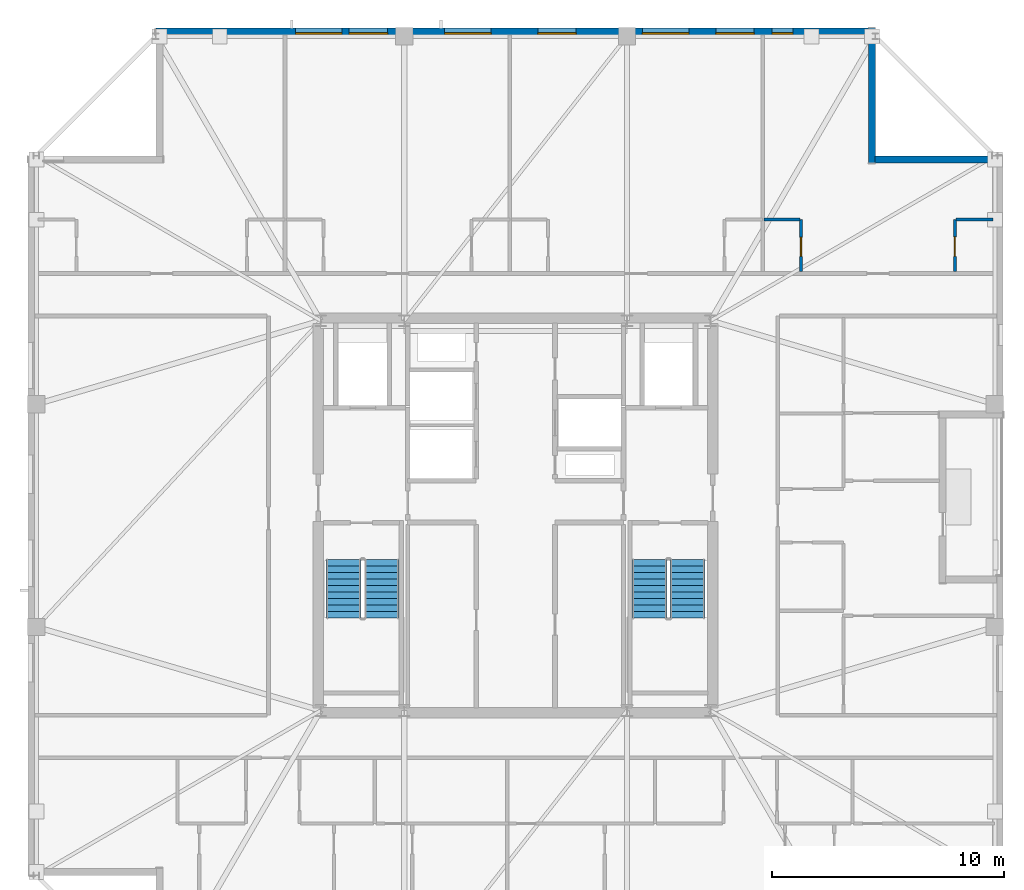
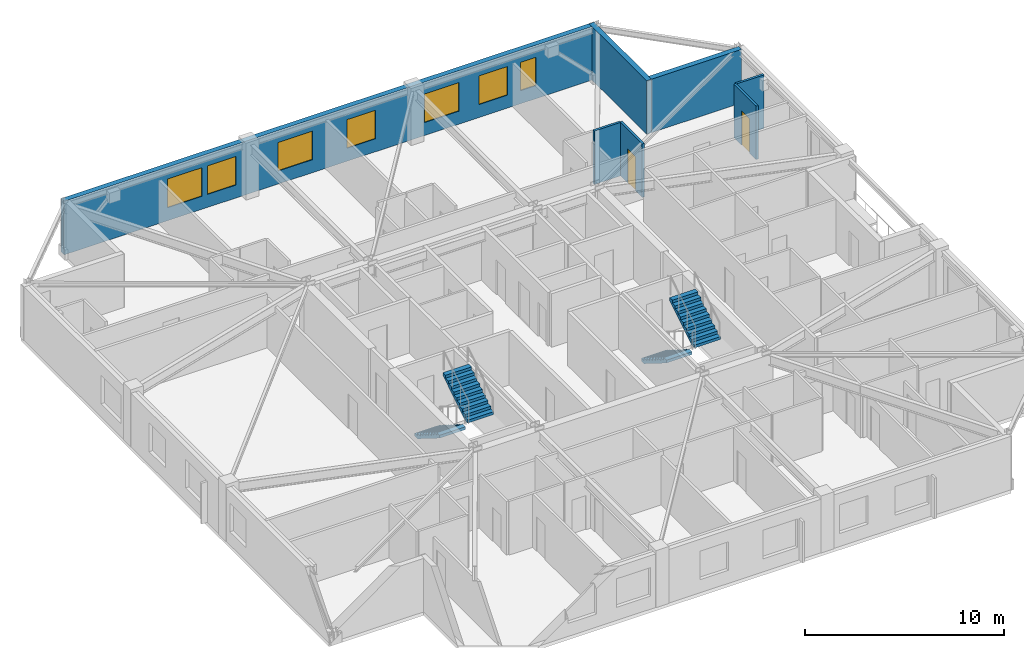
# One storey, part 11 of 14: 7 walls, 7 windows, 4 stair flights, 2 doors, 9 openings, 2 elements without a shape of their own.
"""IFC4 building model written with IfcOpenShell, lengths in metres."""

from ifc_helpers import new_model, si_unit, direction, frame, frame_2d, origin, place, context, subcontext, project, spatial, polyline, rectangle, outline, extrude, material, layer, layer_set, type_object, element, fill, aggregate, save


model = new_model("IFC4")

# Units and contexts
model_context = context("Model", 3, precision=1e-05, world=origin(), true_north=direction((0.0, 1.0)))
body_context = subcontext(model_context, "Body", "Model", "MODEL_VIEW")
ifc_project = project(units=[si_unit("LENGTHUNIT", "METRE"), si_unit("AREAUNIT", "SQUARE_METRE"), si_unit("VOLUMEUNIT", "CUBIC_METRE"), si_unit("PLANEANGLEUNIT", "RADIAN"), si_unit("MASSUNIT", "GRAM", prefix="KILO")], contexts=[model_context])

# Site, building, storey
site_placement = place(None, origin())
site = spatial("IfcSite", under=ifc_project, at=site_placement, CompositionType="ELEMENT")
building_placement = place(site_placement, origin())
building = spatial("IfcBuilding", under=site, at=building_placement, Name="Cairnveth Concourse Tower", CompositionType="ELEMENT")
storey_placement = place(building_placement, frame((0.0, 0.0, 308.5)))
storey = spatial("IfcBuildingStorey", under=building, at=storey_placement, Name="L85", CompositionType="ELEMENT", Elevation=308.5)

# Wall, opening, door
ifc_material_1 = material(Name="Gypsum Plasterboard Partition", Category="gypsum")
ifc_layer_1 = layer(ifc_material_1, 0.1298828125)
ifc_layer_set_1 = layer_set([ifc_layer_1], Name="Gypsum Plasterboard Partition")
wall_type_1 = type_object("IfcWallType", Name="WET AREA PARTITION 140", PredefinedType="PLUMBINGWALL", material=ifc_layer_set_1)
wall_1_placement = place(storey_placement, frame((64.297607421875, 49.514892578125, 0.0), z_axis=(0.0, 0.0, 1.0), x_axis=(0.0, 1.0, 0.0)))
wall_1 = element("IfcWall", 1, at=wall_1_placement, inside=storey, type_object=wall_type_1, Name="Interior Wall IW-L85-078", PredefinedType="PLUMBINGWALL", context=body_context, shape_type="SweptSolid", body=[
    extrude(rectangle(XDim=2.25, YDim=0.1298828125, at=frame_2d((1.125, 0.0))), origin(), (0.0, 0.0, 1.0), 3.2900390625),
])
opening_1_placement = place(wall_1_placement, frame((0.64990234375, 0.0, 0.0)))
opening_1 = element("IfcOpeningElement", 2, at=opening_1_placement, cuts=wall_1, Name="Opening ID22", PredefinedType="OPENING", context=body_context, shape_type="SweptSolid", body=[
    extrude(rectangle(XDim=0.820068359375, YDim=2.10009765625, at=frame_2d((0.41015625, 1.050048828125))), frame((0.0, 0.074951171875, 0.0), z_axis=(0.0, -1.0, 0.0), x_axis=(1.0, 0.0, 0.0)), (0.0, 0.0, 1.0), 0.14990234375),
])
ifc_material_2 = material(Name="Solid Core Hardwood Timber Leaf", Category="wood")
door_type_1 = type_object("IfcDoorType", Name="INTERIOR WC DOOR 820X2100", OperationType="NOTDEFINED", PredefinedType="DOOR", material=ifc_material_2)
door_1_placement = place(opening_1_placement, origin())
door_1 = element("IfcDoor", 3, at=door_1_placement, inside=storey, type_object=door_type_1, Name="L85STN4 Bathroom Door", OperationType="SINGLE_SWING_LEFT", OverallHeight=2.10009765625, OverallWidth=0.820068359375, PredefinedType="DOOR", context=body_context, shape_type="SweptSolid", body=[
    extrude(rectangle(XDim=0.820068359375, YDim=2.10009765625, at=frame_2d((0.41015625, 1.050048828125))), frame((0.0, 0.02490234375, 0.0), z_axis=(0.0, -1.0, 0.0), x_axis=(1.0, 0.0, 0.0)), (0.0, 0.0, 1.0), 0.050048828125),
])
fill(opening_1, door_1)

# Wall
wall_2_placement = place(storey_placement, frame((62.71240234375, 51.764892578125, 0.0), z_axis=(0.0, 0.0, 1.0), x_axis=(1.0, 0.0, 0.0)))
element("IfcWall", 4, at=wall_2_placement, inside=storey, type_object=wall_type_1, Name="Interior Wall IW-L85-079", PredefinedType="PLUMBINGWALL", context=body_context, shape_type="SweptSolid", body=[
    extrude(rectangle(XDim=1.53515625, YDim=0.1298828125, at=frame_2d((0.767578125, 0.0))), origin(), (0.0, 0.0, 1.0), 3.2900390625),
])

# Wall, opening, door
wall_3_placement = place(storey_placement, frame((70.929931640625, 49.514892578125, 0.0), z_axis=(0.0, 0.0, 1.0), x_axis=(0.0, 1.0, 0.0)))
wall_3 = element("IfcWall", 5, at=wall_3_placement, inside=storey, type_object=wall_type_1, Name="Interior Wall IW-L85-080", PredefinedType="PLUMBINGWALL", context=body_context, shape_type="SweptSolid", body=[
    extrude(rectangle(XDim=2.25, YDim=0.1298828125, at=frame_2d((1.125, 0.0))), origin(), (0.0, 0.0, 1.0), 3.2900390625),
])
opening_2_placement = place(wall_3_placement, frame((0.64990234375, 0.0, 0.0)))
opening_2 = element("IfcOpeningElement", 6, at=opening_2_placement, cuts=wall_3, Name="Opening ID20", PredefinedType="OPENING", context=body_context, shape_type="SweptSolid", body=[
    extrude(rectangle(XDim=0.85009765625, YDim=2.10009765625, at=frame_2d((0.425048828125, 1.050048828125))), frame((0.0, 0.074951171875, 0.0), z_axis=(0.0, -1.0, 0.0), x_axis=(1.0, 0.0, 0.0)), (0.0, 0.0, 1.0), 0.14990234375),
])
door_type_2 = type_object("IfcDoorType", Name="INTERIOR SINGLE DOOR 850X2100", OperationType="NOTDEFINED", PredefinedType="DOOR", material=ifc_material_2)
door_2_placement = place(opening_2_placement, origin())
door_2 = element("IfcDoor", 7, at=door_2_placement, inside=storey, type_object=door_type_2, Name="L85STN4 Kitchen Door", OperationType="SINGLE_SWING_RIGHT", OverallHeight=2.10009765625, OverallWidth=0.85009765625, PredefinedType="DOOR", context=body_context, shape_type="SweptSolid", body=[
    extrude(rectangle(XDim=0.85009765625, YDim=2.10009765625, at=frame_2d((0.425048828125, 1.050048828125))), frame((0.0, 0.02490234375, 0.0), z_axis=(0.0, -1.0, 0.0), x_axis=(1.0, 0.0, 0.0)), (0.0, 0.0, 1.0), 0.050048828125),
])
fill(opening_2, door_2)

# Wall
wall_4_placement = place(storey_placement, frame((70.97998046875, 51.764892578125, 0.0), z_axis=(0.0, 0.0, 1.0), x_axis=(1.0, 0.0, 0.0)))
element("IfcWall", 8, at=wall_4_placement, inside=storey, type_object=wall_type_1, Name="Interior Wall IW-L85-081", PredefinedType="PLUMBINGWALL", context=body_context, shape_type="SweptSolid", body=[
    extrude(rectangle(XDim=1.60009765625, YDim=0.1298828125, at=frame_2d((0.800048828125, 0.0))), origin(), (0.0, 0.0, 1.0), 3.2900390625),
])

# Wall, openings, windows
ifc_material_3 = material(Name="Hawthorn Red-Ochre Fired Clay Brick Masonry", Category="masonry")
ifc_layer_2 = layer(ifc_material_3, 0.300048828125)
ifc_layer_set_2 = layer_set([ifc_layer_2], Name="Hawthorn Red-Ochre Fired Clay Brick Masonry")
wall_type_2 = type_object("IfcWallType", Name="ZONE 4 BRICK PIER SPANDREL WALL 300", PredefinedType="SOLIDWALL", material=ifc_layer_set_2)
wall_5_placement = place(storey_placement, frame((36.5, 59.85009765625, 0.0), z_axis=(0.0, 0.0, 1.0), x_axis=(1.0, 0.0, 0.0)))
wall_5 = element("IfcWall", 9, at=wall_5_placement, inside=storey, type_object=wall_type_2, Name="Exterior Wall EW-L85-S09", PredefinedType="SOLIDWALL", context=body_context, shape_type="SweptSolid", body=[
    extrude(rectangle(XDim=30.721923828125, YDim=0.300048828125, at=frame_2d((15.36083984375, 0.0))), origin(), (0.0, 0.0, 1.0), 3.2900390625),
])
opening_3_placement = place(wall_5_placement, frame((6.0185546875, 0.0, 0.800048828125)))
opening_3 = element("IfcOpeningElement", 10, at=opening_3_placement, cuts=wall_5, Name="Opening W09", PredefinedType="OPENING", context=body_context, shape_type="SweptSolid", body=[
    extrude(rectangle(XDim=2.0, YDim=1.758056640625, at=frame_2d((1.0, 0.87890625))), frame((0.0, 0.159912109375, 0.0), z_axis=(0.0, -1.0, 0.0), x_axis=(1.0, 0.0, 0.0)), (0.0, 0.0, 1.0), 0.320068359375),
])
opening_4_placement = place(wall_5_placement, frame((8.33056640625, 0.0, 0.800048828125)))
opening_4 = element("IfcOpeningElement", 11, at=opening_4_placement, cuts=wall_5, Name="Opening W04", PredefinedType="OPENING", context=body_context, shape_type="SweptSolid", body=[
    extrude(rectangle(XDim=1.64990234375, YDim=1.758056640625, at=frame_2d((0.824951171875, 0.87890625))), frame((0.0, 0.159912109375, 0.0), z_axis=(0.0, -1.0, 0.0), x_axis=(1.0, 0.0, 0.0)), (0.0, 0.0, 1.0), 0.320068359375),
])
opening_5_placement = place(wall_5_placement, frame((12.4423828125, 0.0, 0.800048828125)))
opening_5 = element("IfcOpeningElement", 12, at=opening_5_placement, cuts=wall_5, Name="Opening W09", PredefinedType="OPENING", context=body_context, shape_type="SweptSolid", body=[
    extrude(rectangle(XDim=2.0, YDim=1.758056640625, at=frame_2d((1.0, 0.87890625))), frame((0.0, 0.159912109375, 0.0), z_axis=(0.0, -1.0, 0.0), x_axis=(1.0, 0.0, 0.0)), (0.0, 0.0, 1.0), 0.320068359375),
])
opening_6_placement = place(wall_5_placement, frame((16.45458984375, 0.0, 0.800048828125)))
opening_6 = element("IfcOpeningElement", 13, at=opening_6_placement, cuts=wall_5, Name="Opening W04", PredefinedType="OPENING", context=body_context, shape_type="SweptSolid", body=[
    extrude(rectangle(XDim=1.64990234375, YDim=1.758056640625, at=frame_2d((0.824951171875, 0.87890625))), frame((0.0, 0.159912109375, 0.0), z_axis=(0.0, -1.0, 0.0), x_axis=(1.0, 0.0, 0.0)), (0.0, 0.0, 1.0), 0.320068359375),
])
opening_7_placement = place(wall_5_placement, frame((20.966552734375, 0.0, 0.800048828125)))
opening_7 = element("IfcOpeningElement", 14, at=opening_7_placement, cuts=wall_5, Name="Opening W09", PredefinedType="OPENING", context=body_context, shape_type="SweptSolid", body=[
    extrude(rectangle(XDim=2.0, YDim=1.758056640625, at=frame_2d((1.0, 0.87890625))), frame((0.0, 0.159912109375, 0.0), z_axis=(0.0, -1.0, 0.0), x_axis=(1.0, 0.0, 0.0)), (0.0, 0.0, 1.0), 0.320068359375),
])
opening_8_placement = place(wall_5_placement, frame((24.12841796875, 0.0, 0.800048828125)))
opening_8 = element("IfcOpeningElement", 15, at=opening_8_placement, cuts=wall_5, Name="Opening W04", PredefinedType="OPENING", context=body_context, shape_type="SweptSolid", body=[
    extrude(rectangle(XDim=1.64990234375, YDim=1.758056640625, at=frame_2d((0.824951171875, 0.87890625))), frame((0.0, 0.159912109375, 0.0), z_axis=(0.0, -1.0, 0.0), x_axis=(1.0, 0.0, 0.0)), (0.0, 0.0, 1.0), 0.320068359375),
])
opening_9_placement = place(wall_5_placement, frame((26.550048828125, 0.0, 0.800048828125)))
opening_9 = element("IfcOpeningElement", 16, at=opening_9_placement, cuts=wall_5, Name="Opening W13", PredefinedType="OPENING", context=body_context, shape_type="SweptSolid", body=[
    extrude(rectangle(XDim=0.89990234375, YDim=1.75, at=frame_2d((0.449951171875, 0.875))), frame((0.0, 0.159912109375, 0.0), z_axis=(0.0, -1.0, 0.0), x_axis=(1.0, 0.0, 0.0)), (0.0, 0.0, 1.0), 0.320068359375),
])
ifc_material_4 = material(Name="Double Glazed Low-E Clear Glass", Category="glass")
window_type_1 = type_object("IfcWindowType", Name="DEEP-SET BEDROOM LANCET WINDOW 900X1750", PartitioningType="DOUBLE_PANEL_VERTICAL", PredefinedType="WINDOW", material=ifc_material_4)
window_1_placement = place(opening_9_placement, origin())
window_1 = element("IfcWindow", 17, at=window_1_placement, inside=storey, type_object=window_type_1, Name="Dwelling Lancet Window L85-DW4", OverallHeight=1.75, OverallWidth=0.89990234375, PartitioningType="SINGLE_PANEL", PredefinedType="WINDOW", context=body_context, shape_type="SweptSolid", body=[
    extrude(rectangle(XDim=0.89990234375, YDim=1.75, at=frame_2d((0.449951171875, 0.875))), frame((0.0, -0.0400390625, 0.0), z_axis=(0.0, -1.0, 0.0), x_axis=(1.0, 0.0, 0.0)), (0.0, 0.0, 1.0), 0.06005859375),
])
fill(opening_9, window_1)
window_type_2 = type_object("IfcWindowType", Name="DEEP-SET GOTHIC LANCET WINDOW 1650X1850", PartitioningType="DOUBLE_PANEL_VERTICAL", PredefinedType="WINDOW", material=ifc_material_4)
window_2_placement = place(opening_4_placement, origin())
window_2 = element("IfcWindow", 18, at=window_2_placement, inside=storey, type_object=window_type_2, Name="Gothic Lancet Window L85-9-2", OverallHeight=1.758056640625, OverallWidth=1.64990234375, PartitioningType="SINGLE_PANEL", PredefinedType="WINDOW", context=body_context, shape_type="SweptSolid", body=[
    extrude(rectangle(XDim=1.64990234375, YDim=1.758056640625, at=frame_2d((0.824951171875, 0.87890625))), frame((0.0, -0.050048828125, 0.0), z_axis=(0.0, -1.0, 0.0), x_axis=(1.0, 0.0, 0.0)), (0.0, 0.0, 1.0), 0.06005859375),
])
fill(opening_4, window_2)
window_3_placement = place(opening_6_placement, origin())
window_3 = element("IfcWindow", 19, at=window_3_placement, inside=storey, type_object=window_type_2, Name="Gothic Lancet Window L85-9-4", OverallHeight=1.758056640625, OverallWidth=1.64990234375, PartitioningType="SINGLE_PANEL", PredefinedType="WINDOW", context=body_context, shape_type="SweptSolid", body=[
    extrude(rectangle(XDim=1.64990234375, YDim=1.758056640625, at=frame_2d((0.824951171875, 0.87890625))), frame((0.0, -0.050048828125, 0.0), z_axis=(0.0, -1.0, 0.0), x_axis=(1.0, 0.0, 0.0)), (0.0, 0.0, 1.0), 0.06005859375),
])
fill(opening_6, window_3)
window_4_placement = place(opening_8_placement, origin())
window_4 = element("IfcWindow", 20, at=window_4_placement, inside=storey, type_object=window_type_2, Name="Gothic Lancet Window L85-9-6", OverallHeight=1.758056640625, OverallWidth=1.64990234375, PartitioningType="SINGLE_PANEL", PredefinedType="WINDOW", context=body_context, shape_type="SweptSolid", body=[
    extrude(rectangle(XDim=1.64990234375, YDim=1.758056640625, at=frame_2d((0.824951171875, 0.87890625))), frame((0.0, -0.050048828125, 0.0), z_axis=(0.0, -1.0, 0.0), x_axis=(1.0, 0.0, 0.0)), (0.0, 0.0, 1.0), 0.06005859375),
])
fill(opening_8, window_4)
window_type_3 = type_object("IfcWindowType", Name="DEEP-SET PENTHOUSE LANCET WINDOW 2000X1850", PartitioningType="DOUBLE_PANEL_VERTICAL", PredefinedType="WINDOW", material=ifc_material_4)
window_5_placement = place(opening_3_placement, origin())
window_5 = element("IfcWindow", 21, at=window_5_placement, inside=storey, type_object=window_type_3, Name="Gothic Lancet Window L85-9-1", OverallHeight=1.758056640625, OverallWidth=2.0, PartitioningType="SINGLE_PANEL", PredefinedType="WINDOW", context=body_context, shape_type="SweptSolid", body=[
    extrude(rectangle(XDim=2.0, YDim=1.758056640625, at=frame_2d((1.0, 0.87890625))), frame((0.0, -0.050048828125, 0.0), z_axis=(0.0, -1.0, 0.0), x_axis=(1.0, 0.0, 0.0)), (0.0, 0.0, 1.0), 0.06005859375),
])
fill(opening_3, window_5)
window_6_placement = place(opening_5_placement, origin())
window_6 = element("IfcWindow", 22, at=window_6_placement, inside=storey, type_object=window_type_3, Name="Gothic Lancet Window L85-9-3", OverallHeight=1.758056640625, OverallWidth=2.0, PartitioningType="SINGLE_PANEL", PredefinedType="WINDOW", context=body_context, shape_type="SweptSolid", body=[
    extrude(rectangle(XDim=2.0, YDim=1.758056640625, at=frame_2d((1.0, 0.87890625))), frame((0.0, -0.050048828125, 0.0), z_axis=(0.0, -1.0, 0.0), x_axis=(1.0, 0.0, 0.0)), (0.0, 0.0, 1.0), 0.06005859375),
])
fill(opening_5, window_6)
window_7_placement = place(opening_7_placement, origin())
window_7 = element("IfcWindow", 23, at=window_7_placement, inside=storey, type_object=window_type_3, Name="Gothic Lancet Window L85-9-5", OverallHeight=1.758056640625, OverallWidth=2.0, PartitioningType="SINGLE_PANEL", PredefinedType="WINDOW", context=body_context, shape_type="SweptSolid", body=[
    extrude(rectangle(XDim=2.0, YDim=1.758056640625, at=frame_2d((1.0, 0.87890625))), frame((0.0, -0.050048828125, 0.0), z_axis=(0.0, -1.0, 0.0), x_axis=(1.0, 0.0, 0.0)), (0.0, 0.0, 1.0), 0.06005859375),
])
fill(opening_7, window_7)

# Walls
wall_6_placement = place(storey_placement, frame((67.35009765625, 60.0, 0.0), z_axis=(0.0, 0.0, 1.0), x_axis=(0.0, -1.0, 0.0)))
element("IfcWall", 24, at=wall_6_placement, inside=storey, type_object=wall_type_2, Name="Exterior Wall EW-L85-S10", PredefinedType="SOLIDWALL", context=body_context, shape_type="SweptSolid", body=[
    extrude(rectangle(XDim=5.800048828125, YDim=0.300048828125, at=frame_2d((2.89990234375, 0.0))), origin(), (0.0, 0.0, 1.0), 3.2900390625),
])
wall_7_placement = place(storey_placement, frame((67.47802734375, 54.35009765625, 0.0), z_axis=(0.0, 0.0, 1.0), x_axis=(1.0, 0.0, 0.0)))
element("IfcWall", 25, at=wall_7_placement, inside=storey, type_object=wall_type_2, Name="Exterior Wall EW-L85-S11", PredefinedType="SOLIDWALL", context=body_context, shape_type="SweptSolid", body=[
    extrude(rectangle(XDim=5.243896484375, YDim=0.300048828125, at=frame_2d((2.6220703125, 0.0))), origin(), (0.0, 0.0, 1.0), 3.2900390625),
])

# Stair, stair flights
ifc_material_5 = material(Name="Precast concrete N50 (50 MPa)", Category="concrete")
stair_type = type_object("IfcStairType", Name="CORE DOG-LEG FIRE STAIR 1500", PredefinedType="HALF_TURN_STAIR", material=ifc_material_5)
stair_1_placement = place(storey_placement, origin())
stair_1 = element("IfcStair", 26, at=stair_1_placement, inside=storey, type_object=stair_type, Name="L85 Fire-Isolated Stair ST-1", PredefinedType="HALF_TURN_STAIR")
stair_flight_type = type_object("IfcStairFlightType", Name="PRECAST CONCRETE STAIR FLIGHT 1500", PredefinedType="STRAIGHT", material=ifc_material_5)
stair_flight_1_placement = place(storey_placement, frame((44.590087890625, 37.10009765625, 0.0), z_axis=(0.0, 0.0, 1.0), x_axis=(0.0, -1.0, 0.0)))
stair_flight_1 = element("IfcStairFlight", 27, at=stair_flight_1_placement, type_object=stair_flight_type, Name="ST-1 flight 1", NumberOfRisers=10, NumberOfTreads=9, PredefinedType="STRAIGHT", RiserHeight=0.175, TreadLength=0.28, context=body_context, shape_type="SweptSolid", body=[
    extrude(outline(polyline([(0.0, 0.0), (0.0, 0.175048828125), (0.280029296875, 0.175048828125), (0.280029296875, 0.35009765625), (0.56005859375, 0.35009765625), (0.56005859375, 0.52490234375), (0.840087890625, 0.52490234375), (0.840087890625, 0.699951171875), (1.1201171875, 0.699951171875), (1.1201171875, 0.875), (1.39990234375, 0.875), (1.39990234375, 1.050048828125), (1.679931640625, 1.050048828125), (1.679931640625, 1.22509765625), (1.9599609375, 1.22509765625), (1.9599609375, 1.39990234375), (2.239990234375, 1.39990234375), (2.239990234375, 1.574951171875), (2.52001953125, 1.574951171875), (2.52001953125, 1.75), (2.52001953125, 1.398193359375), (0.28271484375, 0.0), (0.0, 0.0)])), frame((0.0, 0.75, 0.0), z_axis=(0.0, -1.0, 0.0), x_axis=(1.0, 0.0, 0.0)), (0.0, 0.0, 1.0), 1.5),
])
stair_flight_2_placement = place(storey_placement, frame((46.22998046875, 34.580078125, 1.75), z_axis=(0.0, 0.0, 1.0), x_axis=(0.0, 1.0, 0.0)))
stair_flight_2 = element("IfcStairFlight", 28, at=stair_flight_2_placement, type_object=stair_flight_type, Name="ST-1 flight 2", NumberOfRisers=10, NumberOfTreads=9, PredefinedType="STRAIGHT", RiserHeight=0.175, TreadLength=0.28, context=body_context, shape_type="SweptSolid", body=[
    extrude(outline(polyline([(0.0, 0.0), (0.0, 0.175048828125), (0.280029296875, 0.175048828125), (0.280029296875, 0.35009765625), (0.56005859375, 0.35009765625), (0.56005859375, 0.52490234375), (0.840087890625, 0.52490234375), (0.840087890625, 0.699951171875), (1.1201171875, 0.699951171875), (1.1201171875, 0.875), (1.39990234375, 0.875), (1.39990234375, 1.050048828125), (1.679931640625, 1.050048828125), (1.679931640625, 1.22509765625), (1.9599609375, 1.22509765625), (1.9599609375, 1.39990234375), (2.239990234375, 1.39990234375), (2.239990234375, 1.574951171875), (2.52001953125, 1.574951171875), (2.52001953125, 1.75), (2.52001953125, 1.398193359375), (0.28271484375, 0.0), (0.0, 0.0)])), frame((0.0, 0.75, 0.0), z_axis=(0.0, -1.0, 0.0), x_axis=(1.0, 0.0, 0.0)), (0.0, 0.0, 1.0), 1.5),
])
aggregate(stair_1, [stair_flight_1, stair_flight_2])

stair_2_placement = place(storey_placement, origin())
stair_2 = element("IfcStair", 29, at=stair_2_placement, inside=storey, type_object=stair_type, Name="L85 Fire-Isolated Stair ST-2", PredefinedType="HALF_TURN_STAIR")
stair_flight_3_placement = place(storey_placement, frame((57.77001953125, 37.10009765625, 0.0), z_axis=(0.0, 0.0, 1.0), x_axis=(0.0, -1.0, 0.0)))
stair_flight_3 = element("IfcStairFlight", 30, at=stair_flight_3_placement, type_object=stair_flight_type, Name="ST-2 flight 1", NumberOfRisers=10, NumberOfTreads=9, PredefinedType="STRAIGHT", RiserHeight=0.175, TreadLength=0.28, context=body_context, shape_type="SweptSolid", body=[
    extrude(outline(polyline([(0.0, 0.0), (0.0, 0.175048828125), (0.280029296875, 0.175048828125), (0.280029296875, 0.35009765625), (0.56005859375, 0.35009765625), (0.56005859375, 0.52490234375), (0.840087890625, 0.52490234375), (0.840087890625, 0.699951171875), (1.1201171875, 0.699951171875), (1.1201171875, 0.875), (1.39990234375, 0.875), (1.39990234375, 1.050048828125), (1.679931640625, 1.050048828125), (1.679931640625, 1.22509765625), (1.9599609375, 1.22509765625), (1.9599609375, 1.39990234375), (2.239990234375, 1.39990234375), (2.239990234375, 1.574951171875), (2.52001953125, 1.574951171875), (2.52001953125, 1.75), (2.52001953125, 1.398193359375), (0.28271484375, 0.0), (0.0, 0.0)])), frame((0.0, 0.75, 0.0), z_axis=(0.0, -1.0, 0.0), x_axis=(1.0, 0.0, 0.0)), (0.0, 0.0, 1.0), 1.5),
])
stair_flight_4_placement = place(storey_placement, frame((59.409912109375, 34.580078125, 1.75), z_axis=(0.0, 0.0, 1.0), x_axis=(0.0, 1.0, 0.0)))
stair_flight_4 = element("IfcStairFlight", 31, at=stair_flight_4_placement, type_object=stair_flight_type, Name="ST-2 flight 2", NumberOfRisers=10, NumberOfTreads=9, PredefinedType="STRAIGHT", RiserHeight=0.175, TreadLength=0.28, context=body_context, shape_type="SweptSolid", body=[
    extrude(outline(polyline([(0.0, 0.0), (0.0, 0.175048828125), (0.280029296875, 0.175048828125), (0.280029296875, 0.35009765625), (0.56005859375, 0.35009765625), (0.56005859375, 0.52490234375), (0.840087890625, 0.52490234375), (0.840087890625, 0.699951171875), (1.1201171875, 0.699951171875), (1.1201171875, 0.875), (1.39990234375, 0.875), (1.39990234375, 1.050048828125), (1.679931640625, 1.050048828125), (1.679931640625, 1.22509765625), (1.9599609375, 1.22509765625), (1.9599609375, 1.39990234375), (2.239990234375, 1.39990234375), (2.239990234375, 1.574951171875), (2.52001953125, 1.574951171875), (2.52001953125, 1.75), (2.52001953125, 1.398193359375), (0.28271484375, 0.0), (0.0, 0.0)])), frame((0.0, 0.75, 0.0), z_axis=(0.0, -1.0, 0.0), x_axis=(1.0, 0.0, 0.0)), (0.0, 0.0, 1.0), 1.5),
])
aggregate(stair_2, [stair_flight_3, stair_flight_4])

save(model, "model.ifc")
